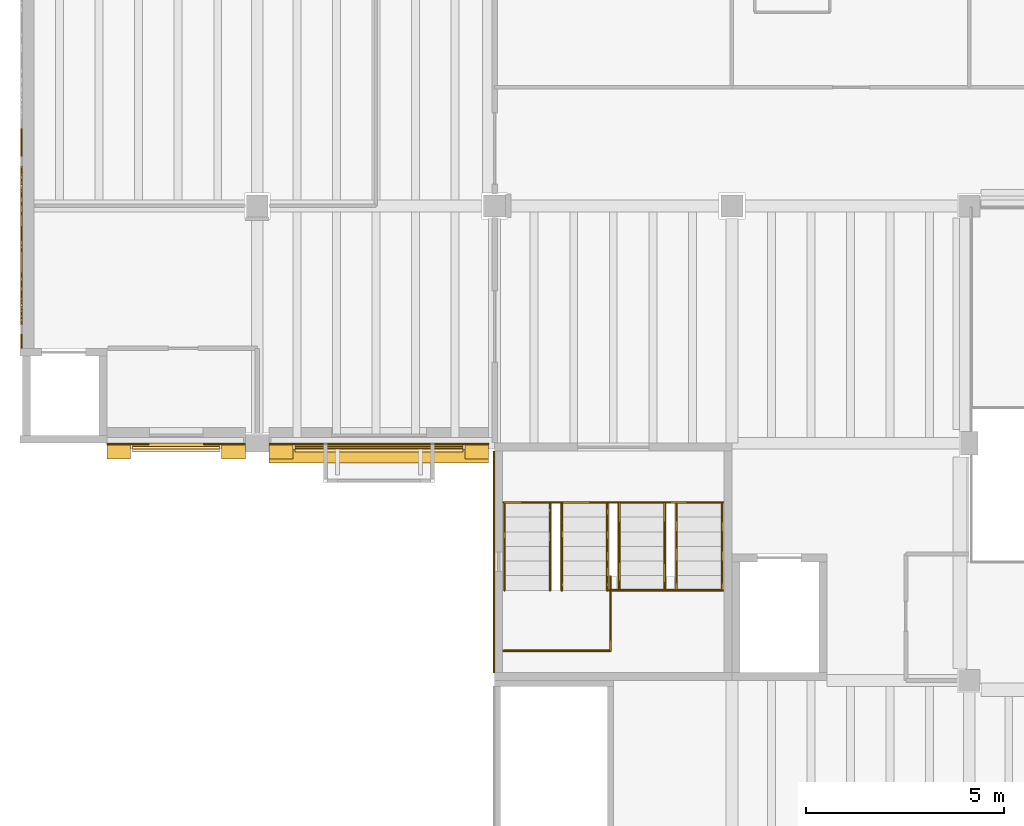
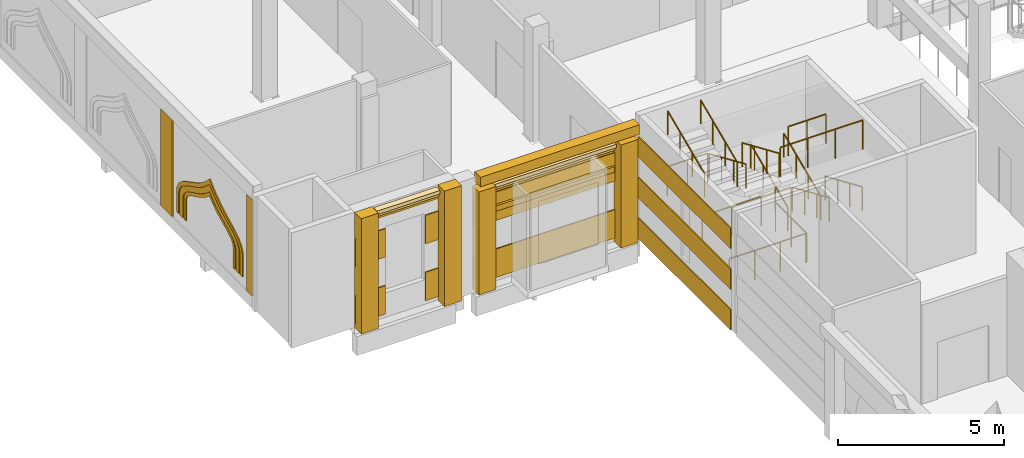
# One storey, part 64 of 70: 26 coverings, 14 railings.
"""IFC4 building model written with IfcOpenShell, lengths in metres."""

from ifc_helpers import new_model, si_unit, direction, frame, origin, origin_2d, place, context, subcontext, project, spatial, polyline, rectangle, circle, outline, extrude, material, layer, layer_set, type_object, element, save


model = new_model("IFC4")

# Units and contexts
model_context = context("Model", 3, precision=1e-05, world=origin(), true_north=direction((0.0, 1.0)))
body_context = subcontext(model_context, "Body", "Model", "MODEL_VIEW")
ifc_project = project(units=[si_unit("LENGTHUNIT", "METRE"), si_unit("AREAUNIT", "SQUARE_METRE"), si_unit("VOLUMEUNIT", "CUBIC_METRE"), si_unit("PLANEANGLEUNIT", "RADIAN"), si_unit("MASSUNIT", "GRAM", prefix="KILO")], contexts=[model_context])

# Site, building, storey
site_placement = place(None, origin())
site = spatial("IfcSite", under=ifc_project, at=site_placement, CompositionType="ELEMENT")
building_placement = place(site_placement, origin())
building = spatial("IfcBuilding", under=site, at=building_placement, Name="Saffron Lane Theatres", CompositionType="ELEMENT")
storey_placement = place(building_placement, frame((0.0, 0.0, 12.0)))
storey = spatial("IfcBuildingStorey", under=building, at=storey_placement, Name="L02", CompositionType="ELEMENT", Elevation=12.0)

# Coverings
ifc_material_1 = material(Name="Masonry sandstone", Category="masonry")
ifc_layer_1 = layer(ifc_material_1, 0.0400390625)
ifc_layer_set_1 = layer_set([ifc_layer_1], Name="Masonry sandstone")
covering_type_1 = type_object("IfcCoveringType", Name="EX-BANDING COURSE SANDSTONE 40", PredefinedType="CLADDING", material=ifc_layer_set_1)
for number, where, z_axis, x_axis, name in (
    (1, (11.97998046875, 99.0, 0.0), (0.0, 0.0, 1.0), (0.0, 1.0, 0.0), "Banding course L02"),
    (2, (11.97998046875, 99.0, 1.5), (0.0, 0.0, 1.0), (0.0, 1.0, 0.0), "Banding course L02"),
    (3, (11.97998046875, 99.0, 3.0), (0.0, 0.0, 1.0), (0.0, 1.0, 0.0), "Banding course L02"),
):
    element("IfcCovering", number, at=place(storey_placement, frame(where, z_axis=z_axis, x_axis=x_axis)), inside=storey, type_object=covering_type_1, Name=name, PredefinedType="CLADDING", context=body_context, shape_type="SweptSolid", body=[
        extrude(rectangle(XDim=5.60009765625, YDim=0.0400390625, at=origin_2d()), origin(), (0.0, 0.0, 1.0), 0.75),
    ])
ifc_material_2 = material(Name="Masonry sandstone", Category="masonry")
ifc_layer_2 = layer(ifc_material_2, 0.179931640625)
ifc_layer_set_2 = layer_set([ifc_layer_2], Name="Masonry sandstone")
covering_type_2 = type_object("IfcCoveringType", Name="EX-EAVES CORNICE SANDSTONE 180", PredefinedType="CLADDING", material=ifc_layer_set_2)
covering_1_placement = place(storey_placement, frame((9.074951171875, 101.889892578125, 3.610107421875), z_axis=(0.0, 0.0, 1.0), x_axis=(-1.0, 0.0, 0.0)))
element("IfcCovering", 4, at=covering_1_placement, inside=storey, type_object=covering_type_2, Name="Eaves cornice L02", PredefinedType="CLADDING", context=body_context, shape_type="SweptSolid", body=[
    extrude(rectangle(XDim=4.25, YDim=0.219970703125, at=origin_2d()), origin(), (0.0, 0.0, 1.0), 0.1298828125),
])
covering_2_placement = place(storey_placement, frame((9.074951171875, 101.925048828125, 3.47998046875), z_axis=(0.0, 0.0, 1.0), x_axis=(-1.0, 0.0, 0.0)))
element("IfcCovering", 5, at=covering_2_placement, inside=storey, type_object=covering_type_2, Name="Eaves cornice L02", PredefinedType="CLADDING", context=body_context, shape_type="SweptSolid", body=[
    extrude(rectangle(XDim=4.25, YDim=0.14990234375, at=origin_2d()), origin(), (0.0, 0.0, 1.0), 0.1298828125),
])
covering_3_placement = place(storey_placement, frame((9.074951171875, 101.9599609375, 3.35009765625), z_axis=(0.0, 0.0, 1.0), x_axis=(-1.0, 0.0, 0.0)))
element("IfcCovering", 6, at=covering_3_placement, inside=storey, type_object=covering_type_2, Name="Eaves cornice L02", PredefinedType="CLADDING", context=body_context, shape_type="SweptSolid", body=[
    extrude(rectangle(XDim=4.25, YDim=0.080078125, at=origin_2d()), origin(), (0.0, 0.0, 1.0), 0.1298828125),
])
covering_4_placement = place(storey_placement, frame((3.949951171875, 101.889892578125, 4.06005859375), z_axis=(0.0, 0.0, 1.0), x_axis=(-1.0, 0.0, 0.0)))
element("IfcCovering", 7, at=covering_4_placement, inside=storey, type_object=covering_type_2, Name="Eaves cornice L02", PredefinedType="CLADDING", context=body_context, shape_type="SweptSolid", body=[
    extrude(rectangle(XDim=2.199951171875, YDim=0.219970703125, at=origin_2d()), origin(), (0.0, 0.0, 1.0), 0.1298828125),
])
covering_5_placement = place(storey_placement, frame((3.949951171875, 101.925048828125, 3.93017578125), z_axis=(0.0, 0.0, 1.0), x_axis=(-1.0, 0.0, 0.0)))
element("IfcCovering", 8, at=covering_5_placement, inside=storey, type_object=covering_type_2, Name="Eaves cornice L02", PredefinedType="CLADDING", context=body_context, shape_type="SweptSolid", body=[
    extrude(rectangle(XDim=2.199951171875, YDim=0.14990234375, at=origin_2d()), origin(), (0.0, 0.0, 1.0), 0.1298828125),
])
covering_6_placement = place(storey_placement, frame((3.949951171875, 101.9599609375, 3.800048828125), z_axis=(0.0, 0.0, 1.0), x_axis=(-1.0, 0.0, 0.0)))
element("IfcCovering", 9, at=covering_6_placement, inside=storey, type_object=covering_type_2, Name="Eaves cornice L02", PredefinedType="CLADDING", context=body_context, shape_type="SweptSolid", body=[
    extrude(rectangle(XDim=2.199951171875, YDim=0.080078125, at=origin_2d()), origin(), (0.0, 0.0, 1.0), 0.1298828125),
])
ifc_material_3 = material(Name="Masonry sandstone", Category="masonry")
ifc_layer_3 = layer(ifc_material_3, 0.1201171875)
ifc_layer_set_3 = layer_set([ifc_layer_3], Name="Masonry sandstone")
covering_type_3 = type_object("IfcCoveringType", Name="EX-EAVES STRING COURSE SANDSTONE 120", PredefinedType="CLADDING", material=ifc_layer_set_3)
covering_7_placement = place(storey_placement, frame((9.074951171875, 101.93994140625, 2.64990234375), z_axis=(0.0, 0.0, 1.0), x_axis=(-1.0, 0.0, 0.0)))
element("IfcCovering", 10, at=covering_7_placement, inside=storey, type_object=covering_type_3, Name="Eaves string course L02", PredefinedType="CLADDING", context=body_context, shape_type="SweptSolid", body=[
    extrude(rectangle(XDim=4.25, YDim=0.1201171875, at=origin_2d()), origin(), (0.0, 0.0, 1.0), 0.199951171875),
])
ifc_material_4 = material(Name="Face brick cladding, pale buff", Category="masonry")
ifc_layer_4 = layer(ifc_material_4, 0.0400390625)
ifc_layer_set_4 = layer_set([ifc_layer_4], Name="Face brick cladding, pale buff")
covering_type_4 = type_object("IfcCoveringType", Name="EX-FACE BRICK CLADDING PALE BUFF 40", PredefinedType="CLADDING", material=ifc_layer_set_4)
for number, where, z_axis, x_axis, name in (
    (11, (9.074951171875, 101.97998046875, 0.14990234375), (0.0, 0.0, 1.0), (-1.0, 0.0, 0.0), "Cladding course L02"),
    (12, (9.074951171875, 101.97998046875, 2.25), (0.0, 0.0, 1.0), (-1.0, 0.0, 0.0), "Cladding course L02"),
):
    element("IfcCovering", number, at=place(storey_placement, frame(where, z_axis=z_axis, x_axis=x_axis)), inside=storey, type_object=covering_type_4, Name=name, PredefinedType="CLADDING", context=body_context, shape_type="SweptSolid", body=[
        extrude(rectangle(XDim=5.550048828125, YDim=0.0400390625, at=origin_2d()), origin(), (0.0, 0.0, 1.0), 1.050048828125),
    ])
for number, where, z_axis, x_axis, name in (
    (13, (5.172119140625, 101.97998046875, 0.14990234375), (0.0, 0.0, 1.0), (-1.0, 0.0, 0.0), "Cladding course L02"),
    (14, (2.72705078125, 101.97998046875, 0.14990234375), (0.0, 0.0, 1.0), (-1.0, 0.0, 0.0), "Cladding course L02"),
    (15, (5.172119140625, 101.97998046875, 2.25), (0.0, 0.0, 1.0), (-1.0, 0.0, 0.0), "Cladding course L02"),
    (16, (2.72705078125, 101.97998046875, 2.25), (0.0, 0.0, 1.0), (-1.0, 0.0, 0.0), "Cladding course L02"),
):
    element("IfcCovering", number, at=place(storey_placement, frame(where, z_axis=z_axis, x_axis=x_axis)), inside=storey, type_object=covering_type_4, Name=name, PredefinedType="CLADDING", context=body_context, shape_type="SweptSolid", body=[
        extrude(rectangle(XDim=1.054931640625, YDim=0.0400390625, at=origin_2d()), origin(), (0.0, 0.0, 1.0), 1.050048828125),
    ])
ifc_material_5 = material(Name="Face brick cladding, pale buff", Category="masonry")
ifc_layer_5 = layer(ifc_material_5, 0.0400390625)
ifc_layer_set_5 = layer_set([ifc_layer_5], Name="Face brick cladding, pale buff")
covering_type_5 = type_object("IfcCoveringType", Name="EX-FACE BRICK SKIN PALE BUFF 40", PredefinedType="CLADDING", material=ifc_layer_set_5)
covering_8_placement = place(storey_placement, frame((0.0400390625, 104.574951171875, 0.4501953125), z_axis=(0.0, 0.0, 1.0), x_axis=(0.0, 1.0, 0.0)))
element("IfcCovering", 17, at=covering_8_placement, inside=storey, type_object=covering_type_5, Name="Face brick cladding, pale buff L02", PredefinedType="CLADDING", context=body_context, shape_type="SweptSolid", body=[
    extrude(rectangle(XDim=0.35009765625, YDim=0.0400390625, at=origin_2d()), origin(), (0.0, 0.0, 1.0), 3.550048828125),
])
covering_9_placement = place(storey_placement, frame((0.0400390625, 109.60009765625, 0.4501953125), z_axis=(0.0, 0.0, 1.0), x_axis=(0.0, 1.0, 0.0)))
element("IfcCovering", 18, at=covering_9_placement, inside=storey, type_object=covering_type_5, Name="Face brick cladding, pale buff L02", PredefinedType="CLADDING", context=body_context, shape_type="SweptSolid", body=[
    extrude(rectangle(XDim=0.699951171875, YDim=0.0400390625, at=origin_2d()), origin(), (0.0, 0.0, 1.0), 3.550048828125),
])
ifc_material_6 = material(Name="Face brick cladding, pale buff", Category="masonry")
ifc_layer_6 = layer(ifc_material_6, 0.0400390625)
ifc_layer_set_6 = layer_set([ifc_layer_6], Name="Face brick cladding, pale buff")
covering_type_6 = type_object("IfcCoveringType", Name="EX-NICHE FRAME RING FACE BRICK PALE BUFF", PredefinedType="CLADDING", material=ifc_layer_set_6)
covering_10_placement = place(storey_placement, frame((0.06005859375, 105.469970703125, 1.626953125), z_axis=(1.0, 0.0, 0.0), x_axis=(0.0, -0.100719773336, -0.994914834174)))
element("IfcCovering", 19, at=covering_10_placement, inside=storey, type_object=covering_type_6, Name="Court wall niche ring", PredefinedType="CLADDING", context=body_context, shape_type="SweptSolid", body=[
    extrude(outline(polyline([(0.0, 0.0), (0.09938232874686968, 0.0), (0.8237075327279083, 0.07332674904499405), (0.8116093568291366, 0.1928331207279823), (0.09335663108402224, 0.1201211163932917), (0.013870439917256196, 0.11992679708974213), (-0.05404835492987823, 0.13636297151497695), (-0.11644464315020871, 0.16611841474647399), (-0.17526461653391537, 0.21144998955971792), (-0.2336413739752667, 0.271795129575914), (-0.29237438347312555, 0.34535518173535484), (-0.35012620043824644, 0.43103859933291644), (-0.4101744637406862, 0.5272866296836439), (-0.47407192855603086, 0.6324697494920305), (-0.5418155961295958, 0.7441343776752944), (-0.6169751840376995, 0.8611829700189427), (-0.6984807366089452, 0.9827422891588762), (-0.7913317776531765, 1.1048707719379098), (-0.8942646319463841, 1.227205569039231), (-1.0110427366174988, 1.3481387482010598), (-1.0992247166181084, 1.4265699774698515), (-1.0286490251205893, 1.522054524877929), (-0.9383787123577587, 1.6629666072491514), (-0.8620520091264839, 1.80344866819863), (-0.795561221260064, 1.9417080521760257), (-0.7400716648288599, 2.0771360119804045), (-0.6898953019474879, 2.2068729351447156), (-0.6459053699800478, 2.329848865997563), (-0.6043846126197483, 2.445703953976817), (-0.5648442328530311, 2.552033797576521), (-0.5254363980433648, 2.6475531305389377), (-0.48263757143657104, 2.731391714254652), (-0.437539299737774, 2.802212104134419), (-0.3889978579103408, 2.8584123654258278), (-0.33383096748317875, 2.900069266248799), (-0.2705842324343504, 2.929783926416588), (-0.19267178772596122, 2.9455237900041036), (0.5255809380191532, 3.018235794338794), (0.5134827621203815, 3.1377421660217824), (-0.2108424418606571, 3.064415416976788), (-0.30820840795773147, 3.044497688362957), (-0.3965601174734784, 3.0034075521753385), (-0.4711901253043157, 2.945547780041579), (-0.5341183926056601, 2.873903932125474), (-0.5870728018266665, 2.7910003601203575), (-0.6340872777687997, 2.697901022188258), (-0.6770342428570031, 2.596134083716348), (-0.7172265518921104, 2.4865481922803143), (-0.7586489500987613, 2.3697215077833125), (-0.8024943420904131, 2.247741763236625), (-0.8510225893972349, 2.1211163479328548), (-0.9060569348673462, 1.9908876290003008), (-0.9691531324310172, 1.8578796642262385), (-1.041965295172167, 1.7238881079156905), (-1.1267778744093768, 1.5896632484906956), (-1.2605097385642552, 1.4102423579641923), (-1.0935324804761668, 1.261263625491915), (-0.9835399579049282, 1.1467597763734545), (-0.8853511335224526, 1.0300794311050514), (-0.7968782743174556, 0.9124154943001628), (-0.7168607038206126, 0.7958586977247573), (-0.6439393864089505, 0.6815281766270556), (-0.576536977118471, 0.5708105551731273), (-0.5125411531494778, 0.4646558388469928), (-0.4512016260799323, 0.3653484789672333), (-0.3887303689924917, 0.27425350866619086), (-0.32401124539361953, 0.19246547340367398), (-0.25551608989614205, 0.12185679560462648), (-0.17950605515954066, 0.06427830666026431), (-0.09479423407972695, 0.02254943572486697), (0.0, 0.0)])), origin(), (0.0, 0.0, -1.0), 0.0400390625),
])
covering_11_placement = place(storey_placement, frame((0.06005859375, 105.2119140625, 1.653076171875), z_axis=(1.0, 0.0, 0.0), x_axis=(0.0, -0.096765974061, -0.995307161767)))
element("IfcCovering", 20, at=covering_11_placement, inside=storey, type_object=covering_type_6, Name="Court wall niche ring", PredefinedType="CLADDING", context=body_context, shape_type="SweptSolid", body=[
    extrude(outline(polyline([(0.0, 0.0), (0.12362703668442167, 0.0), (0.8501818251811128, 0.07063727110384499), (0.8308333552700596, 0.2696501044746778), (0.11424135818753717, 0.19998143809165478), (0.02273014911057792, 0.20016030934671944), (-0.05226415577229543, 0.21715307857786417), (-0.12065709886447978, 0.24950515123918565), (-0.18674496521686834, 0.2985158751269084), (-0.25358544081226486, 0.36535972565164576), (-0.31968005702333513, 0.44723888638983894), (-0.3885488651525783, 0.5450375888287887), (-0.4583322791331901, 0.6547666664876187), (-0.5333097093693592, 0.7750288986192199), (-0.6142641394681614, 0.903785827901723), (-0.7018300561456751, 1.0399946011688075), (-0.7997367563235318, 1.1791226883157213), (-0.9099518238074432, 1.321224088211918), (-1.033383114590096, 1.4630217444674385), (-1.1725854501825084, 1.6030408129603348), (-1.2548392280775351, 1.6745184414700498), (-1.1878941296725722, 1.760501516286708), (-1.0782696748233085, 1.9247120782947675), (-0.984463513794576, 2.0876300423652836), (-0.9036845800214977, 2.2483003034947986), (-0.8345052783928969, 2.404654029997375), (-0.7747217800492032, 2.5542072738781534), (-0.7200850489502951, 2.696146677165989), (-0.6696771043154633, 2.828599154076716), (-0.6223369704514579, 2.94971524333155), (-0.5735962409110026, 3.058948206377276), (-0.5245112685777813, 3.1520253826683864), (-0.4717982472031538, 3.230492489842987), (-0.41638865728519264, 3.2913154664236606), (-0.35550830690572494, 3.3362357759502816), (-0.28519165408926006, 3.3673559994021955), (-0.1954286584108575, 3.3851587516751422), (0.521163338671665, 3.4548274180581653), (0.5018148687606119, 3.6538402514289983), (-0.22473991973607932, 3.5832029803251535), (-0.3460517548926827, 3.559389478896165), (-0.4568169358591515, 3.5103551305030565), (-0.5503902267633658, 3.4409159593152108), (-0.6295086953007494, 3.3539946541417978), (-0.6961736745704221, 3.255038350938939), (-0.7539997138964268, 3.145903260844097), (-0.8067262349884179, 3.0272069959266474), (-0.8567291881023483, 2.9006808949384415), (-0.9070426347156366, 2.7672564383775526), (-0.9606533872949283, 2.6273791169169716), (-1.0188945429298568, 2.4821457825924726), (-1.0849419101301552, 2.3339458853773727), (-1.1605437022943803, 2.183100043559052), (-1.2481771175587109, 2.0298580019087322), (-1.3498502388809483, 1.8772133227517422), (-1.5296664741610662, 1.6477991258785953), (-1.309027093574111, 1.4573181138814137), (-1.1798550479826844, 1.3271167148410299), (-1.0643447163629902, 1.193624759693324), (-0.9611022528972605, 1.0601665538390264), (-0.86774495747086, 0.9274643321570778), (-0.7827136127283196, 0.7971414356604235), (-0.7031631532353081, 0.6702103431513164), (-0.6279967269560517, 0.5480041517193898), (-0.554558264499307, 0.4334792994672218), (-0.4799554514199714, 0.32716227537198417), (-0.40219032954826595, 0.23120965928247547), (-0.31771247321762364, 0.14694779842964714), (-0.2234270722224914, 0.07786636975193079), (-0.11813602664687003, 0.026780064319589583), (0.0, 0.0)])), origin(), (0.0, 0.0, -1.0), 0.0400390625),
])
covering_12_placement = place(storey_placement, frame((0.06005859375, 105.012939453125, 1.6640625), z_axis=(1.0, 0.0, 0.0), x_axis=(0.0, -0.094724749708, -0.995503501648)))
element("IfcCovering", 21, at=covering_12_placement, inside=storey, type_object=covering_type_6, Name="Court wall niche ring", PredefinedType="CLADDING", context=body_context, shape_type="SweptSolid", body=[
    extrude(outline(polyline([(0.0, 0.0), (0.13660055228326948, -1.734723475976807e-18), (0.8613543222816443, 0.06896220791726007), (0.8481030328327543, 0.20822575929521742), (0.12942533401142822, 0.139841705367874), (0.014883647242307568, 0.13997871695491843), (-0.08259704254134764, 0.16184908245122273), (-0.17182431140479626, 0.20265279117505466), (-0.2560502209984903, 0.2630613744399854), (-0.33686044045401997, 0.3416977348934284), (-0.41646548155471963, 0.4385967799460958), (-0.49723817554373406, 0.5503445648303588), (-0.5796877342748237, 0.6771378800741059), (-0.6669741511026879, 0.8135259334946665), (-0.7593404688744085, 0.9594855989324436), (-0.8611963662481728, 1.112390093731363), (-0.9744748410921549, 1.2693578111371537), (-1.1002060983649908, 1.428328777575176), (-1.2428691952036584, 1.587405338930602), (-1.402475912859272, 1.7441339405730159), (-1.5281190289200606, 1.8506312145435675), (-1.424815783029652, 1.9789133308541795), (-1.297631941128565, 2.16293080082066), (-1.1875304770020043, 2.346058568156619), (-1.0940370862069217, 2.525889330550835), (-1.0123951976911796, 2.7014042279531525), (-0.9412045879425954, 2.8707745483848983), (-0.8780234835818681, 3.031534955964542), (-0.8181184397164573, 3.1829096334890106), (-0.7609688995841211, 3.3220051929529166), (-0.70272108504226, 3.446981141126473), (-0.6428195319179204, 3.557154601787627), (-0.578290128818444, 3.6496204056798764), (-0.50696861627969, 3.724829731086674), (-0.42703806357410135, 3.7817292468897863), (-0.3354314183279995, 3.8215917645522968), (-0.2229710859225789, 3.843328609202628), (0.49570661289874723, 3.9117126631299715), (0.4824553234498572, 4.050976214507929), (-0.24229844654851768, 3.982014006590669), (-0.37644762591454045, 3.956251464799982), (-0.49709287344664554, 3.904551844165049), (-0.5995234340692552, 3.8315325224377927), (-0.6870838740712082, 3.7388372023201115), (-0.7624241022681755, 3.6311186053172757), (-0.8281826825673464, 3.510332855457055), (-0.8888268908545827, 3.3770358532550375), (-0.9486154312367424, 3.234746265710988), (-1.0075483037138255, 3.083464092824906), (-1.0717940841012672, 2.923583351995204), (-1.1414103696267426, 2.758286726393542), (-1.2196492219407031, 2.5882457473334926), (-1.3104687050752506, 2.4138195248027547), (-1.415477177978938, 2.239024156403737), (-1.5372556073312795, 2.06263308299255), (-1.7232824351268665, 1.8320609083874442), (-1.4971085942714661, 1.640710700458285), (-1.3442486064212045, 1.4904521873913312), (-1.2081585750195971, 1.3385979693122074), (-1.0860725241103564, 1.1844302625881493), (-0.9771683841712157, 1.0321964264175332), (-0.8776268481276537, 0.8829956078951515), (-0.7844733682443785, 0.7390727898724168), (-0.6979741135280688, 0.600647889036814), (-0.6124230313552224, 0.4721877449315711), (-0.5277276170874526, 0.35272018616836043), (-0.440369203724995, 0.2465039168540398), (-0.3460655246587611, 0.154927379249677), (-0.2426867914926881, 0.08138139196330402), (-0.12823062787981174, 0.02801843320794645), (0.0, 0.0)])), origin(), (0.0, 0.0, -1.0), 0.0400390625),
])
ifc_material_7 = material(Name="Masonry sandstone", Category="masonry")
ifc_layer_7 = layer(ifc_material_7, 0.39990234375)
ifc_layer_set_7 = layer_set([ifc_layer_7], Name="Masonry sandstone")
covering_type_7 = type_object("IfcCoveringType", Name="EX-PILASTER PIER SANDSTONE 400", PredefinedType="CLADDING", material=ifc_layer_set_7)
for number, where, z_axis, x_axis, name in (
    (22, (11.550048828125, 101.800048828125, 0.0), (0.0, 0.0, 1.0), (-1.0, 0.0, 0.0), "Pilaster pier L02"),
    (23, (6.60009765625, 101.800048828125, 0.0), (0.0, 0.0, 1.0), (-1.0, 0.0, 0.0), "Pilaster pier L02"),
):
    element("IfcCovering", number, at=place(storey_placement, frame(where, z_axis=z_axis, x_axis=x_axis)), inside=storey, type_object=covering_type_7, Name=name, PredefinedType="CLADDING", context=body_context, shape_type="SweptSolid", body=[
        extrude(rectangle(XDim=0.60009765625, YDim=0.39990234375, at=origin_2d()), origin(), (0.0, 0.0, 1.0), 3.800048828125),
    ])
for number, where, z_axis, x_axis, name in (
    (24, (5.39990234375, 101.800048828125, 0.0), (0.0, 0.0, 1.0), (-1.0, 0.0, 0.0), "Pilaster pier L02"),
    (25, (2.5, 101.800048828125, 0.0), (0.0, 0.0, 1.0), (-1.0, 0.0, 0.0), "Pilaster pier L02"),
):
    element("IfcCovering", number, at=place(storey_placement, frame(where, z_axis=z_axis, x_axis=x_axis)), inside=storey, type_object=covering_type_7, Name=name, PredefinedType="CLADDING", context=body_context, shape_type="SweptSolid", body=[
        extrude(rectangle(XDim=0.60009765625, YDim=0.39990234375, at=origin_2d()), origin(), (0.0, 0.0, 1.0), 4.25),
    ])
ifc_material_8 = material(Name="Masonry sandstone", Category="masonry")
ifc_layer_8 = layer(ifc_material_8, 0.300048828125)
ifc_layer_set_8 = layer_set([ifc_layer_8], Name="Masonry sandstone")
covering_type_8 = type_object("IfcCoveringType", Name="EX-STRING COURSE SANDSTONE 350", PredefinedType="CLADDING", material=ifc_layer_set_8)
covering_13_placement = place(storey_placement, frame((9.074951171875, 101.675048828125, 4.050048828125), z_axis=(0.0, 0.0, 1.0), x_axis=(-1.0, 0.0, 0.0)))
element("IfcCovering", 26, at=covering_13_placement, inside=storey, type_object=covering_type_8, Name="String course L02", PredefinedType="CLADDING", context=body_context, shape_type="SweptSolid", body=[
    extrude(rectangle(XDim=5.550048828125, YDim=0.35009765625, at=origin_2d()), origin(), (0.0, 0.0, 1.0), 0.35009765625),
])

# Railings
ifc_material_9 = material(Name="Steel Grade 350", Category="steel")
railing_type_1 = type_object("IfcRailingType", Name="VC-GUARD 1100", PredefinedType="GUARDRAIL", material=ifc_material_9)
railing_1_placement = place(storey_placement, frame((14.89990234375, 96.75, 1.125)))
element("IfcRailing", 27, at=railing_1_placement, inside=storey, type_object=railing_type_1, Name="Brick Block West Stair landing guard 3N1s", PredefinedType="GUARDRAIL", context=body_context, shape_type="SweptSolid", body=[
    extrude(circle(Radius=0.02392578125, at=origin_2d()), frame((0.0, 0.0, 1.076171875), z_axis=(-1.0, 0.0, 0.0), x_axis=(0.0, -1.0, 0.0)), (0.0, 0.0, 1.0), 2.669921875),
    extrude(circle(Radius=0.02099609375, at=origin_2d()), origin(), (0.0, 0.0, 1.0), 1.052001953125),
    extrude(circle(Radius=0.02099609375, at=origin_2d()), frame((-0.889892578125, 0.0, 0.0)), (0.0, 0.0, 1.0), 1.052001953125),
    extrude(circle(Radius=0.02099609375, at=origin_2d()), frame((-1.780029296875, 0.0, 0.0)), (0.0, 0.0, 1.0), 1.052001953125),
    extrude(circle(Radius=0.02099609375, at=origin_2d()), frame((-2.669921875, 0.0, 0.0)), (0.0, 0.0, 1.0), 1.052001953125),
])
railing_2_placement = place(storey_placement, frame((14.929931640625, 98.6298828125, 1.125)))
element("IfcRailing", 28, at=railing_2_placement, inside=storey, type_object=railing_type_1, Name="Brick Block West Stair landing guard 3N1e", PredefinedType="GUARDRAIL", context=body_context, shape_type="SweptSolid", body=[
    extrude(circle(Radius=0.02392578125, at=origin_2d()), frame((0.0, 0.0, 1.076171875), z_axis=(0.0, -1.0, 0.0), x_axis=(1.0, 0.0, 0.0)), (0.0, 0.0, 1.0), 1.8798828125),
    extrude(circle(Radius=0.02099609375, at=origin_2d()), origin(), (0.0, 0.0, 1.0), 1.052001953125),
    extrude(circle(Radius=0.02099609375, at=origin_2d()), frame((0.0, -0.93994140625, 0.0)), (0.0, 0.0, 1.0), 1.052001953125),
    extrude(circle(Radius=0.02099609375, at=origin_2d()), frame((0.0, -1.8798828125, 0.0)), (0.0, 0.0, 1.0), 1.052001953125),
])
railing_3_placement = place(storey_placement, frame((17.77001953125, 98.280029296875, 3.375)))
element("IfcRailing", 29, at=railing_3_placement, inside=storey, type_object=railing_type_1, Name="Brick Block West Stair landing guard 3N2s", PredefinedType="GUARDRAIL", context=body_context, shape_type="SweptSolid", body=[
    extrude(circle(Radius=0.02392578125, at=origin_2d()), frame((0.0, 0.0, 1.076171875), z_axis=(-1.0, 0.0, 0.0), x_axis=(0.0, -1.0, 0.0)), (0.0, 0.0, 1.0), 2.8701171875),
    extrude(circle(Radius=0.02099609375, at=origin_2d()), origin(), (0.0, 0.0, 1.0), 1.052001953125),
    extrude(circle(Radius=0.02099609375, at=origin_2d()), frame((-0.956787109375, 0.0, 0.0)), (0.0, 0.0, 1.0), 1.052001953125),
    extrude(circle(Radius=0.02099609375, at=origin_2d()), frame((-1.913330078125, 0.0, 0.0)), (0.0, 0.0, 1.0), 1.052001953125),
    extrude(circle(Radius=0.02099609375, at=origin_2d()), frame((-2.8701171875, 0.0, 0.0)), (0.0, 0.0, 1.0), 1.052001953125),
])
railing_4_placement = place(storey_placement, frame((17.77001953125, 100.5, 2.25)))
element("IfcRailing", 30, at=railing_4_placement, inside=storey, type_object=railing_type_1, Name="Brick Block West Stair landing guard 3S2w", PredefinedType="GUARDRAIL", context=body_context, shape_type="SweptSolid", body=[
    extrude(circle(Radius=0.02392578125, at=origin_2d()), frame((0.0, 0.0, 1.076171875), z_axis=(-1.0, 0.0, 0.0), x_axis=(0.0, -1.0, 0.0)), (0.0, 0.0, 1.0), 1.320068359375),
    extrude(circle(Radius=0.02099609375, at=origin_2d()), origin(), (0.0, 0.0, 1.0), 1.052001953125),
    extrude(circle(Radius=0.02099609375, at=origin_2d()), frame((-0.66015625, 0.0, 0.0)), (0.0, 0.0, 1.0), 1.052001953125),
    extrude(circle(Radius=0.02099609375, at=origin_2d()), frame((-1.320068359375, 0.0, 0.0)), (0.0, 0.0, 1.0), 1.052001953125),
])
railing_5_placement = place(storey_placement, frame((13.64990234375, 100.5, 2.25)))
element("IfcRailing", 31, at=railing_5_placement, inside=storey, type_object=railing_type_1, Name="Brick Block West Stair landing guard 3S2e", PredefinedType="GUARDRAIL", context=body_context, shape_type="SweptSolid", body=[
    extrude(circle(Radius=0.02392578125, at=origin_2d()), frame((0.0, 0.0, 1.076171875), z_axis=(-1.0, 0.0, 0.0), x_axis=(0.0, -1.0, 0.0)), (0.0, 0.0, 1.0), 1.419921875),
    extrude(circle(Radius=0.02099609375, at=origin_2d()), origin(), (0.0, 0.0, 1.0), 1.052001953125),
    extrude(circle(Radius=0.02099609375, at=origin_2d()), frame((-0.7099609375, 0.0, 0.0)), (0.0, 0.0, 1.0), 1.052001953125),
    extrude(circle(Radius=0.02099609375, at=origin_2d()), frame((-1.419921875, 0.0, 0.0)), (0.0, 0.0, 1.0), 1.052001953125),
])
railing_6_placement = place(storey_placement, frame((16.550048828125, 100.5, 0.0)))
element("IfcRailing", 32, at=railing_6_placement, inside=storey, type_object=railing_type_1, Name="Brick Block West Stair guard L02", PredefinedType="GUARDRAIL", context=body_context, shape_type="SweptSolid", body=[
    extrude(circle(Radius=0.02392578125, at=origin_2d()), frame((0.0, 0.0, 1.076171875), z_axis=(-1.0, 0.0, 0.0), x_axis=(0.0, -1.0, 0.0)), (0.0, 0.0, 1.0), 3.10009765625),
    extrude(circle(Radius=0.02099609375, at=origin_2d()), origin(), (0.0, 0.0, 1.0), 1.052001953125),
    extrude(circle(Radius=0.02099609375, at=origin_2d()), frame((-1.033447265625, 0.0, 0.0)), (0.0, 0.0, 1.0), 1.052001953125),
    extrude(circle(Radius=0.02099609375, at=origin_2d()), frame((-2.066650390625, 0.0, 0.0)), (0.0, 0.0, 1.0), 1.052001953125),
    extrude(circle(Radius=0.02099609375, at=origin_2d()), frame((-3.10009765625, 0.0, 0.0)), (0.0, 0.0, 1.0), 1.052001953125),
])
ifc_material_10 = material(Name="Steel Grade 350", Category="steel")
railing_type_2 = type_object("IfcRailingType", Name="VC-HANDRAIL 900", PredefinedType="HANDRAIL", material=ifc_material_10)
for number, where, name in (
    (33, (17.75, 100.5, 0.16064453125), "Brick Block West Stair handrail 3.1a"),
    (34, (16.60009765625, 100.5, 0.16064453125), "Brick Block West Stair handrail 3.1b"),
):
    element("IfcRailing", number, at=place(storey_placement, frame(where)), inside=storey, type_object=railing_type_2, Name=name, PredefinedType="HANDRAIL", context=body_context, shape_type="SweptSolid", body=[
        extrude(circle(Radius=0.02392578125, at=origin_2d()), frame((0.0, 0.0, 0.8759765625), z_axis=(0.0, -0.917161435653, 0.398515872898), x_axis=(1.0, 0.0, 0.0)), (0.0, 0.0, 1.0), 0.806884765625),
        extrude(circle(Radius=0.02392578125, at=origin_2d()), frame((0.0, -0.739990234375, 1.197265625), z_axis=(0.0, -0.917272012673, 0.398261289567), x_axis=(1.0, 0.0, 0.0)), (0.0, 0.0, 1.0), 0.806640625),
        extrude(circle(Radius=0.02392578125, at=origin_2d()), frame((0.0, -1.47998046875, 1.5185546875), z_axis=(0.0, -0.917161435653, 0.398515872898), x_axis=(1.0, 0.0, 0.0)), (0.0, 0.0, 1.0), 0.806884765625),
        extrude(circle(Radius=0.02099609375, at=origin_2d()), origin(), (0.0, 0.0, 1.0), 0.851806640625),
        extrude(circle(Radius=0.02099609375, at=origin_2d()), frame((0.0, -0.739990234375, 0.321533203125)), (0.0, 0.0, 1.0), 0.851806640625),
        extrude(circle(Radius=0.02099609375, at=origin_2d()), frame((0.0, -1.47998046875, 0.642822265625)), (0.0, 0.0, 1.0), 0.851806640625),
        extrude(circle(Radius=0.02099609375, at=origin_2d()), frame((0.0, -2.219970703125, 0.96435546875)), (0.0, 0.0, 1.0), 0.851806640625),
    ])
for number, where, name in (
    (35, (16.300048828125, 98.280029296875, 1.28564453125), "Brick Block West Stair handrail 3.2a"),
    (36, (15.14990234375, 98.280029296875, 1.28564453125), "Brick Block West Stair handrail 3.2b"),
):
    element("IfcRailing", number, at=place(storey_placement, frame(where)), inside=storey, type_object=railing_type_2, Name=name, PredefinedType="HANDRAIL", context=body_context, shape_type="SweptSolid", body=[
        extrude(circle(Radius=0.02392578125, at=origin_2d()), frame((0.0, 0.0, 0.8759765625), z_axis=(0.0, 0.917161435653, 0.398515872898), x_axis=(-1.0, 0.0, 0.0)), (0.0, 0.0, 1.0), 0.806884765625),
        extrude(circle(Radius=0.02392578125, at=origin_2d()), frame((0.0, 0.739990234375, 1.197265625), z_axis=(0.0, 0.917272012673, 0.398261289567), x_axis=(-1.0, 0.0, 0.0)), (0.0, 0.0, 1.0), 0.806640625),
        extrude(circle(Radius=0.02392578125, at=origin_2d()), frame((0.0, 1.47998046875, 1.5185546875), z_axis=(0.0, 0.917161435653, 0.398515872898), x_axis=(-1.0, 0.0, 0.0)), (0.0, 0.0, 1.0), 0.806884765625),
        extrude(circle(Radius=0.02099609375, at=origin_2d()), origin(), (0.0, 0.0, 1.0), 0.851806640625),
        extrude(circle(Radius=0.02099609375, at=origin_2d()), frame((0.0, 0.739990234375, 0.321533203125)), (0.0, 0.0, 1.0), 0.851806640625),
        extrude(circle(Radius=0.02099609375, at=origin_2d()), frame((0.0, 1.47998046875, 0.642822265625)), (0.0, 0.0, 1.0), 0.851806640625),
        extrude(circle(Radius=0.02099609375, at=origin_2d()), frame((0.0, 2.219970703125, 0.96435546875)), (0.0, 0.0, 1.0), 0.851806640625),
    ])
for number, where, name in (
    (37, (14.85009765625, 100.5, 2.41064453125), "Brick Block West Stair handrail 3.3a"),
    (38, (13.699951171875, 100.5, 2.41064453125), "Brick Block West Stair handrail 3.3b"),
):
    element("IfcRailing", number, at=place(storey_placement, frame(where)), inside=storey, type_object=railing_type_2, Name=name, PredefinedType="HANDRAIL", context=body_context, shape_type="SweptSolid", body=[
        extrude(circle(Radius=0.02392578125, at=origin_2d()), frame((0.0, 0.0, 0.8759765625), z_axis=(0.0, -0.917161435653, 0.398515872898), x_axis=(1.0, 0.0, 0.0)), (0.0, 0.0, 1.0), 0.806884765625),
        extrude(circle(Radius=0.02392578125, at=origin_2d()), frame((0.0, -0.739990234375, 1.197265625), z_axis=(0.0, -0.917272012673, 0.398261289567), x_axis=(1.0, 0.0, 0.0)), (0.0, 0.0, 1.0), 0.806640625),
        extrude(circle(Radius=0.02392578125, at=origin_2d()), frame((0.0, -1.47998046875, 1.5185546875), z_axis=(0.0, -0.917161435653, 0.398515872898), x_axis=(1.0, 0.0, 0.0)), (0.0, 0.0, 1.0), 0.806884765625),
        extrude(circle(Radius=0.02099609375, at=origin_2d()), origin(), (0.0, 0.0, 1.0), 0.851806640625),
        extrude(circle(Radius=0.02099609375, at=origin_2d()), frame((0.0, -0.739990234375, 0.321533203125)), (0.0, 0.0, 1.0), 0.851806640625),
        extrude(circle(Radius=0.02099609375, at=origin_2d()), frame((0.0, -1.47998046875, 0.642822265625)), (0.0, 0.0, 1.0), 0.851806640625),
        extrude(circle(Radius=0.02099609375, at=origin_2d()), frame((0.0, -2.219970703125, 0.96435546875)), (0.0, 0.0, 1.0), 0.851806640625),
    ])
for number, where, name in (
    (39, (13.39990234375, 98.280029296875, 3.53564453125), "Brick Block West Stair handrail 3.4a"),
    (40, (12.25, 98.280029296875, 3.53564453125), "Brick Block West Stair handrail 3.4b"),
):
    element("IfcRailing", number, at=place(storey_placement, frame(where)), inside=storey, type_object=railing_type_2, Name=name, PredefinedType="HANDRAIL", context=body_context, shape_type="SweptSolid", body=[
        extrude(circle(Radius=0.02392578125, at=origin_2d()), frame((0.0, 0.0, 0.8759765625), z_axis=(0.0, 0.917161435653, 0.398515872898), x_axis=(-1.0, 0.0, 0.0)), (0.0, 0.0, 1.0), 0.806884765625),
        extrude(circle(Radius=0.02392578125, at=origin_2d()), frame((0.0, 0.739990234375, 1.197265625), z_axis=(0.0, 0.917272012673, 0.398261289567), x_axis=(-1.0, 0.0, 0.0)), (0.0, 0.0, 1.0), 0.806640625),
        extrude(circle(Radius=0.02392578125, at=origin_2d()), frame((0.0, 1.47998046875, 1.5185546875), z_axis=(0.0, 0.917161435653, 0.398515872898), x_axis=(-1.0, 0.0, 0.0)), (0.0, 0.0, 1.0), 0.806884765625),
        extrude(circle(Radius=0.02099609375, at=origin_2d()), origin(), (0.0, 0.0, 1.0), 0.851806640625),
        extrude(circle(Radius=0.02099609375, at=origin_2d()), frame((0.0, 0.739990234375, 0.321533203125)), (0.0, 0.0, 1.0), 0.851806640625),
        extrude(circle(Radius=0.02099609375, at=origin_2d()), frame((0.0, 1.47998046875, 0.642822265625)), (0.0, 0.0, 1.0), 0.851806640625),
        extrude(circle(Radius=0.02099609375, at=origin_2d()), frame((0.0, 2.219970703125, 0.96435546875)), (0.0, 0.0, 1.0), 0.851806640625),
    ])

save(model, "model.ifc")
